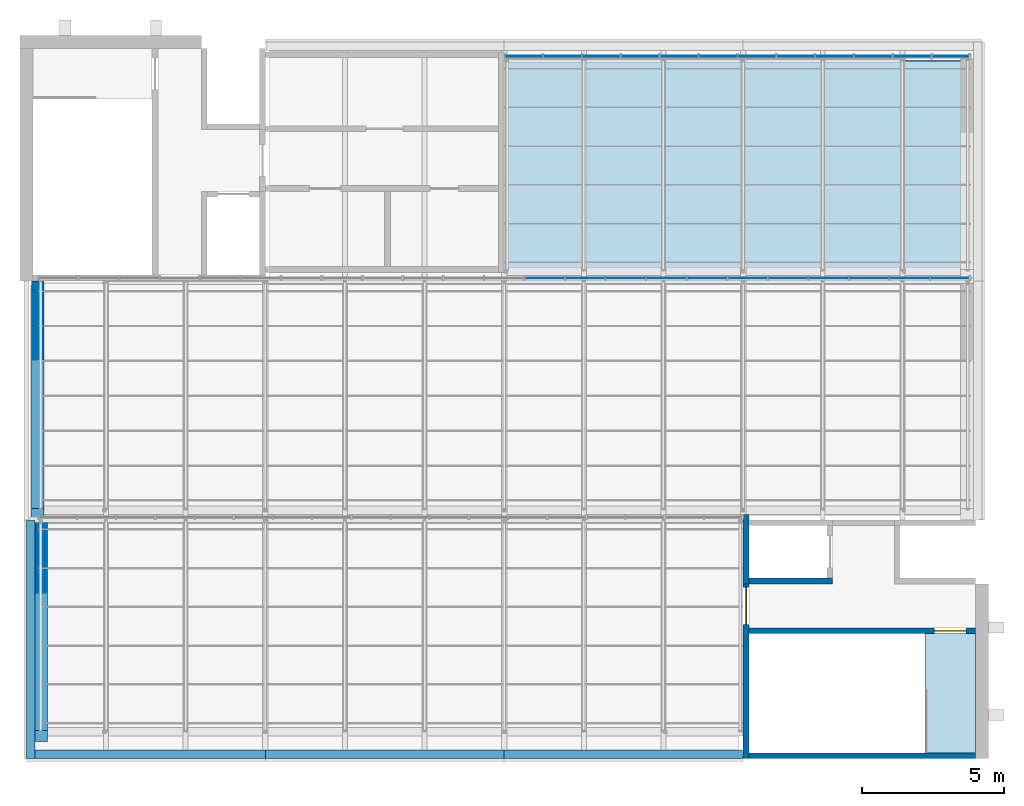
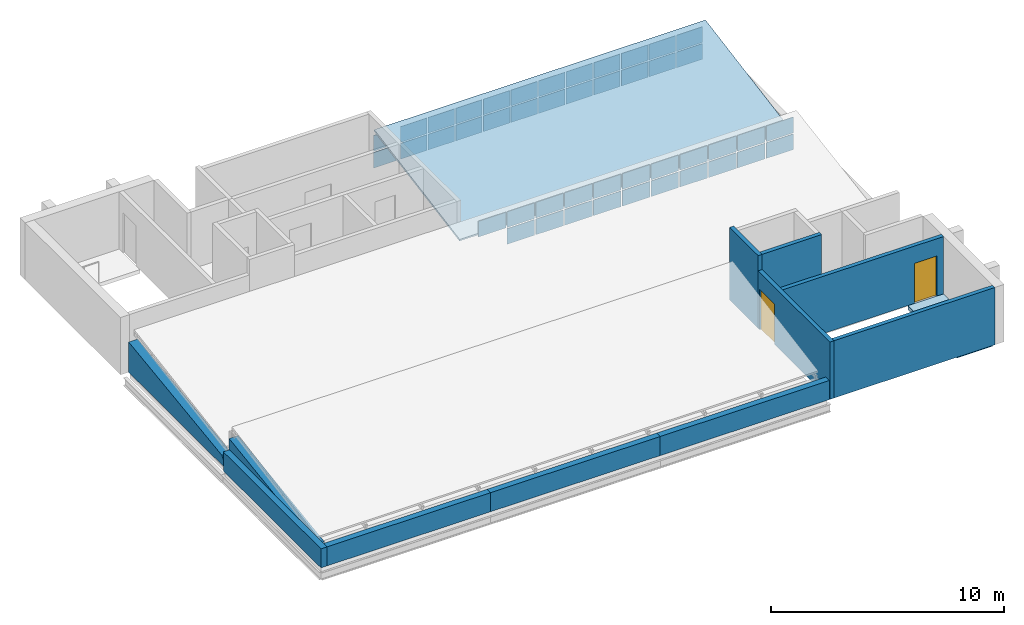
# One storey, part 22 of 33: 45 plates, 11 walls, 2 doors, 2 slabs, 2 openings, 2 elements without a shape of their own.
"""IFC4 building model written with IfcOpenShell, lengths in metres."""

from ifc_helpers import new_model, si_unit, direction, frame, frame_2d, origin, origin_2d, place, context, subcontext, project, spatial, polyline, rectangle, outline, extrude, material, layer, layer_set, type_object, element, fill, aggregate, save


model = new_model("IFC4")

# Units and contexts
model_context = context("Model", 3, precision=1e-05, world=origin(), true_north=direction((0.0, 1.0)))
body_context = subcontext(model_context, "Body", "Model", "MODEL_VIEW")
ifc_project = project(units=[si_unit("LENGTHUNIT", "METRE"), si_unit("AREAUNIT", "SQUARE_METRE"), si_unit("VOLUMEUNIT", "CUBIC_METRE"), si_unit("PLANEANGLEUNIT", "RADIAN"), si_unit("MASSUNIT", "GRAM", prefix="KILO")], contexts=[model_context])

# Site, building, storey
site_placement = place(None, origin())
site = spatial("IfcSite", under=ifc_project, at=site_placement, CompositionType="ELEMENT")
building_placement = place(site_placement, origin())
building = spatial("IfcBuilding", under=site, at=building_placement, Name="Ardhachandra Cancer Care Centre", CompositionType="ELEMENT")
storey_placement = place(building_placement, frame((0.0, 0.0, 27.0)))
storey = spatial("IfcBuildingStorey", under=building, at=storey_placement, Name="Roof", CompositionType="ELEMENT", Elevation=27.0)

# Slab
ifc_material_1 = material(Name="Concrete M40", Category="concrete")
ifc_layer_1 = layer(ifc_material_1, 0.199951171875)
ifc_layer_set_1 = layer_set([ifc_layer_1], Name="Concrete M40")
slab_type_1 = type_object("IfcSlabType", Name="Core head-house floor slab 200", PredefinedType="FLOOR", material=ifc_layer_set_1)
slab_1_placement = place(storey_placement, frame((0.0, 0.0, -0.199951171875)))
element("IfcSlab", 1, at=slab_1_placement, inside=storey, type_object=slab_type_1, Name="Stair head-house floor slab K13 1", PredefinedType="FLOOR", context=body_context, shape_type="SweptSolid", body=[
    extrude(outline(polyline([(144.97509765625, 84.199951171875), (143.199951171875, 84.199951171875), (143.199951171875, 80.0), (144.97509765625, 80.0), (144.97509765625, 84.199951171875)])), origin(), (0.0, 0.0, 1.0), 0.199951171875),
])

# Curtain wall, plates
ifc_material_2 = material(Name="Aluminium extrusion", Category="aluminium")
ifc_layer_2 = layer(ifc_material_2, 0.14990234375)
ifc_layer_set_2 = layer_set([ifc_layer_2], Name="Aluminium extrusion")
curtain_wall_type = type_object("IfcCurtainWallType", Name="Curtain wall run", PredefinedType="NOTDEFINED", material=ifc_layer_set_2)
curtain_wall_1_placement = place(storey_placement, origin())
curtain_wall_1 = element("IfcCurtainWall", 2, at=curtain_wall_1_placement, inside=storey, type_object=curtain_wall_type, Name="Curtain wall Roof n/0112000_0096700", PredefinedType="NOTDEFINED")
ifc_material_3 = material(Name="Low-iron double-glazed unit")
ifc_layer_3 = layer(ifc_material_3, 0.028076171875)
ifc_layer_set_3 = layer_set([ifc_layer_3], Name="Low-iron double-glazed unit")
plate_type_1 = type_object("IfcPlateType", Name="Curtain wall glazing 28", PredefinedType="CURTAIN_PANEL", material=ifc_layer_set_3)
plate_1_placement = place(storey_placement, frame((129.826171875, 96.699951171875, 0.93994140625), z_axis=(0.0, 0.0, 1.0), x_axis=(1.0, 0.0, 0.0)))
plate_1 = element("IfcPlate", 3, at=plate_1_placement, type_object=plate_type_1, Name="CW panel 13.2", PredefinedType="CURTAIN_PANEL", context=body_context, shape_type="SweptSolid", body=[
    extrude(rectangle(XDim=1.365966796875, YDim=0.028076171875, at=origin_2d()), origin(), (0.0, 0.0, 1.0), 0.820068359375),
])
plate_2_placement = place(storey_placement, frame((131.252197265625, 96.699951171875, 0.93994140625), z_axis=(0.0, 0.0, 1.0), x_axis=(1.0, 0.0, 0.0)))
plate_2 = element("IfcPlate", 4, at=plate_2_placement, type_object=plate_type_1, Name="CW panel 14.2", PredefinedType="CURTAIN_PANEL", context=body_context, shape_type="SweptSolid", body=[
    extrude(rectangle(XDim=1.365966796875, YDim=0.028076171875, at=origin_2d()), origin(), (0.0, 0.0, 1.0), 0.820068359375),
])
plate_3_placement = place(storey_placement, frame((132.67822265625, 96.699951171875, 0.93994140625), z_axis=(0.0, 0.0, 1.0), x_axis=(1.0, 0.0, 0.0)))
plate_3 = element("IfcPlate", 5, at=plate_3_placement, type_object=plate_type_1, Name="CW panel 15.2", PredefinedType="CURTAIN_PANEL", context=body_context, shape_type="SweptSolid", body=[
    extrude(rectangle(XDim=1.365966796875, YDim=0.028076171875, at=origin_2d()), origin(), (0.0, 0.0, 1.0), 0.820068359375),
])
plate_4_placement = place(storey_placement, frame((134.104248046875, 96.699951171875, 0.93994140625), z_axis=(0.0, 0.0, 1.0), x_axis=(1.0, 0.0, 0.0)))
plate_4 = element("IfcPlate", 6, at=plate_4_placement, type_object=plate_type_1, Name="CW panel 16.2", PredefinedType="CURTAIN_PANEL", context=body_context, shape_type="SweptSolid", body=[
    extrude(rectangle(XDim=1.365966796875, YDim=0.028076171875, at=origin_2d()), origin(), (0.0, 0.0, 1.0), 0.820068359375),
])
plate_5_placement = place(storey_placement, frame((135.530517578125, 96.699951171875, 0.93994140625), z_axis=(0.0, 0.0, 1.0), x_axis=(1.0, 0.0, 0.0)))
plate_5 = element("IfcPlate", 7, at=plate_5_placement, type_object=plate_type_1, Name="CW panel 17.2", PredefinedType="CURTAIN_PANEL", context=body_context, shape_type="SweptSolid", body=[
    extrude(rectangle(XDim=1.365966796875, YDim=0.028076171875, at=origin_2d()), origin(), (0.0, 0.0, 1.0), 0.820068359375),
])
plate_6_placement = place(storey_placement, frame((136.95654296875, 96.699951171875, 0.93994140625), z_axis=(0.0, 0.0, 1.0), x_axis=(1.0, 0.0, 0.0)))
plate_6 = element("IfcPlate", 8, at=plate_6_placement, type_object=plate_type_1, Name="CW panel 18.2", PredefinedType="CURTAIN_PANEL", context=body_context, shape_type="SweptSolid", body=[
    extrude(rectangle(XDim=1.365966796875, YDim=0.028076171875, at=origin_2d()), origin(), (0.0, 0.0, 1.0), 0.820068359375),
])
plate_7_placement = place(storey_placement, frame((138.382568359375, 96.699951171875, 0.93994140625), z_axis=(0.0, 0.0, 1.0), x_axis=(1.0, 0.0, 0.0)))
plate_7 = element("IfcPlate", 9, at=plate_7_placement, type_object=plate_type_1, Name="CW panel 19.2", PredefinedType="CURTAIN_PANEL", context=body_context, shape_type="SweptSolid", body=[
    extrude(rectangle(XDim=1.365966796875, YDim=0.028076171875, at=origin_2d()), origin(), (0.0, 0.0, 1.0), 0.820068359375),
])
plate_8_placement = place(storey_placement, frame((139.80859375, 96.699951171875, 0.93994140625), z_axis=(0.0, 0.0, 1.0), x_axis=(1.0, 0.0, 0.0)))
plate_8 = element("IfcPlate", 10, at=plate_8_placement, type_object=plate_type_1, Name="CW panel 20.2", PredefinedType="CURTAIN_PANEL", context=body_context, shape_type="SweptSolid", body=[
    extrude(rectangle(XDim=1.365966796875, YDim=0.028076171875, at=origin_2d()), origin(), (0.0, 0.0, 1.0), 0.820068359375),
])
plate_9_placement = place(storey_placement, frame((141.23486328125, 96.699951171875, 0.93994140625), z_axis=(0.0, 0.0, 1.0), x_axis=(1.0, 0.0, 0.0)))
plate_9 = element("IfcPlate", 11, at=plate_9_placement, type_object=plate_type_1, Name="CW panel 21.2", PredefinedType="CURTAIN_PANEL", context=body_context, shape_type="SweptSolid", body=[
    extrude(rectangle(XDim=1.365966796875, YDim=0.028076171875, at=origin_2d()), origin(), (0.0, 0.0, 1.0), 0.820068359375),
])
plate_10_placement = place(storey_placement, frame((142.660888671875, 96.699951171875, 0.93994140625), z_axis=(0.0, 0.0, 1.0), x_axis=(1.0, 0.0, 0.0)))
plate_10 = element("IfcPlate", 12, at=plate_10_placement, type_object=plate_type_1, Name="CW panel 22.2", PredefinedType="CURTAIN_PANEL", context=body_context, shape_type="SweptSolid", body=[
    extrude(rectangle(XDim=1.365966796875, YDim=0.028076171875, at=origin_2d()), origin(), (0.0, 0.0, 1.0), 0.820068359375),
])
plate_11_placement = place(storey_placement, frame((144.072021484375, 96.699951171875, 0.93994140625), z_axis=(0.0, 0.0, 1.0), x_axis=(1.0, 0.0, 0.0)))
plate_11 = element("IfcPlate", 13, at=plate_11_placement, type_object=plate_type_1, Name="CW panel 23.2", PredefinedType="CURTAIN_PANEL", context=body_context, shape_type="SweptSolid", body=[
    extrude(rectangle(XDim=1.336181640625, YDim=0.028076171875, at=origin_2d()), origin(), (0.0, 0.0, 1.0), 0.820068359375),
])

curtain_wall_2_placement = place(storey_placement, origin())
curtain_wall_2 = element("IfcCurtainWall", 14, at=curtain_wall_2_placement, inside=storey, type_object=curtain_wall_type, Name="Curtain wall Roof n/0128400_0104500", PredefinedType="NOTDEFINED")
plate_12_placement = place(storey_placement, frame((129.098388671875, 104.5, 0.93994140625), z_axis=(0.0, 0.0, 1.0), x_axis=(1.0, 0.0, 0.0)))
plate_12 = element("IfcPlate", 15, at=plate_12_placement, type_object=plate_type_1, Name="CW panel 1.2", PredefinedType="CURTAIN_PANEL", context=body_context, shape_type="SweptSolid", body=[
    extrude(rectangle(XDim=1.276611328125, YDim=0.028076171875, at=origin_2d()), origin(), (0.0, 0.0, 1.0), 0.820068359375),
])
plate_13_placement = place(storey_placement, frame((130.449951171875, 104.5, 0.93994140625), z_axis=(0.0, 0.0, 1.0), x_axis=(1.0, 0.0, 0.0)))
plate_13 = element("IfcPlate", 16, at=plate_13_placement, type_object=plate_type_1, Name="CW panel 2.2", PredefinedType="CURTAIN_PANEL", context=body_context, shape_type="SweptSolid", body=[
    extrude(rectangle(XDim=1.306640625, YDim=0.028076171875, at=origin_2d()), origin(), (0.0, 0.0, 1.0), 0.820068359375),
])
plate_14_placement = place(storey_placement, frame((131.816650390625, 104.5, 0.93994140625), z_axis=(0.0, 0.0, 1.0), x_axis=(1.0, 0.0, 0.0)))
plate_14 = element("IfcPlate", 17, at=plate_14_placement, type_object=plate_type_1, Name="CW panel 3.2", PredefinedType="CURTAIN_PANEL", context=body_context, shape_type="SweptSolid", body=[
    extrude(rectangle(XDim=1.306640625, YDim=0.028076171875, at=origin_2d()), origin(), (0.0, 0.0, 1.0), 0.820068359375),
])
plate_15_placement = place(storey_placement, frame((133.183349609375, 104.5, 0.93994140625), z_axis=(0.0, 0.0, 1.0), x_axis=(1.0, 0.0, 0.0)))
plate_15 = element("IfcPlate", 18, at=plate_15_placement, type_object=plate_type_1, Name="CW panel 4.2", PredefinedType="CURTAIN_PANEL", context=body_context, shape_type="SweptSolid", body=[
    extrude(rectangle(XDim=1.306640625, YDim=0.028076171875, at=origin_2d()), origin(), (0.0, 0.0, 1.0), 0.820068359375),
])
plate_16_placement = place(storey_placement, frame((134.550048828125, 104.5, 0.93994140625), z_axis=(0.0, 0.0, 1.0), x_axis=(1.0, 0.0, 0.0)))
plate_16 = element("IfcPlate", 19, at=plate_16_placement, type_object=plate_type_1, Name="CW panel 5.2", PredefinedType="CURTAIN_PANEL", context=body_context, shape_type="SweptSolid", body=[
    extrude(rectangle(XDim=1.306640625, YDim=0.028076171875, at=origin_2d()), origin(), (0.0, 0.0, 1.0), 0.820068359375),
])
plate_17_placement = place(storey_placement, frame((135.916748046875, 104.5, 0.93994140625), z_axis=(0.0, 0.0, 1.0), x_axis=(1.0, 0.0, 0.0)))
plate_17 = element("IfcPlate", 20, at=plate_17_placement, type_object=plate_type_1, Name="CW panel 6.2", PredefinedType="CURTAIN_PANEL", context=body_context, shape_type="SweptSolid", body=[
    extrude(rectangle(XDim=1.306640625, YDim=0.028076171875, at=origin_2d()), origin(), (0.0, 0.0, 1.0), 0.820068359375),
])
plate_18_placement = place(storey_placement, frame((137.283447265625, 104.5, 0.93994140625), z_axis=(0.0, 0.0, 1.0), x_axis=(1.0, 0.0, 0.0)))
plate_18 = element("IfcPlate", 21, at=plate_18_placement, type_object=plate_type_1, Name="CW panel 7.2", PredefinedType="CURTAIN_PANEL", context=body_context, shape_type="SweptSolid", body=[
    extrude(rectangle(XDim=1.306640625, YDim=0.028076171875, at=origin_2d()), origin(), (0.0, 0.0, 1.0), 0.820068359375),
])
plate_19_placement = place(storey_placement, frame((138.64990234375, 104.5, 0.93994140625), z_axis=(0.0, 0.0, 1.0), x_axis=(1.0, 0.0, 0.0)))
plate_19 = element("IfcPlate", 22, at=plate_19_placement, type_object=plate_type_1, Name="CW panel 8.2", PredefinedType="CURTAIN_PANEL", context=body_context, shape_type="SweptSolid", body=[
    extrude(rectangle(XDim=1.306640625, YDim=0.028076171875, at=origin_2d()), origin(), (0.0, 0.0, 1.0), 0.820068359375),
])
plate_20_placement = place(storey_placement, frame((140.0166015625, 104.5, 0.93994140625), z_axis=(0.0, 0.0, 1.0), x_axis=(1.0, 0.0, 0.0)))
plate_20 = element("IfcPlate", 23, at=plate_20_placement, type_object=plate_type_1, Name="CW panel 9.2", PredefinedType="CURTAIN_PANEL", context=body_context, shape_type="SweptSolid", body=[
    extrude(rectangle(XDim=1.306640625, YDim=0.028076171875, at=origin_2d()), origin(), (0.0, 0.0, 1.0), 0.820068359375),
])
plate_21_placement = place(storey_placement, frame((141.38330078125, 104.5, 0.93994140625), z_axis=(0.0, 0.0, 1.0), x_axis=(1.0, 0.0, 0.0)))
plate_21 = element("IfcPlate", 24, at=plate_21_placement, type_object=plate_type_1, Name="CW panel 10.2", PredefinedType="CURTAIN_PANEL", context=body_context, shape_type="SweptSolid", body=[
    extrude(rectangle(XDim=1.306640625, YDim=0.028076171875, at=origin_2d()), origin(), (0.0, 0.0, 1.0), 0.820068359375),
])
plate_22_placement = place(storey_placement, frame((142.75, 104.5, 0.93994140625), z_axis=(0.0, 0.0, 1.0), x_axis=(1.0, 0.0, 0.0)))
plate_22 = element("IfcPlate", 25, at=plate_22_placement, type_object=plate_type_1, Name="CW panel 11.2", PredefinedType="CURTAIN_PANEL", context=body_context, shape_type="SweptSolid", body=[
    extrude(rectangle(XDim=1.306640625, YDim=0.028076171875, at=origin_2d()), origin(), (0.0, 0.0, 1.0), 0.820068359375),
])
plate_23_placement = place(storey_placement, frame((144.1015625, 104.5, 0.93994140625), z_axis=(0.0, 0.0, 1.0), x_axis=(1.0, 0.0, 0.0)))
plate_23 = element("IfcPlate", 26, at=plate_23_placement, type_object=plate_type_1, Name="CW panel 12.2", PredefinedType="CURTAIN_PANEL", context=body_context, shape_type="SweptSolid", body=[
    extrude(rectangle(XDim=1.276611328125, YDim=0.028076171875, at=origin_2d()), origin(), (0.0, 0.0, 1.0), 0.820068359375),
])

# Plate
ifc_material_4 = material(Name="Aluminium composite spandrel panel", Category="aluminium")
ifc_layer_4 = layer(ifc_material_4, 0.028076171875)
ifc_layer_set_4 = layer_set([ifc_layer_4], Name="Aluminium composite spandrel panel")
plate_type_2 = type_object("IfcPlateType", Name="Curtain wall spandrel panel 28", PredefinedType="CURTAIN_PANEL", material=ifc_layer_set_4)
plate_24_placement = place(storey_placement, frame((131.252197265625, 96.699951171875, 0.06005859375), z_axis=(0.0, 0.0, 1.0), x_axis=(1.0, 0.0, 0.0)))
plate_24 = element("IfcPlate", 27, at=plate_24_placement, type_object=plate_type_2, Name="CW panel 14.1", PredefinedType="CURTAIN_PANEL", context=body_context, shape_type="SweptSolid", body=[
    extrude(rectangle(XDim=1.365966796875, YDim=0.028076171875, at=origin_2d()), origin(), (0.0, 0.0, 1.0), 0.820068359375),
])

plate_25_placement = place(storey_placement, frame((132.67822265625, 96.699951171875, 0.06005859375), z_axis=(0.0, 0.0, 1.0), x_axis=(1.0, 0.0, 0.0)))
plate_25 = element("IfcPlate", 28, at=plate_25_placement, type_object=plate_type_2, Name="CW panel 15.1", PredefinedType="CURTAIN_PANEL", context=body_context, shape_type="SweptSolid", body=[
    extrude(rectangle(XDim=1.365966796875, YDim=0.028076171875, at=origin_2d()), origin(), (0.0, 0.0, 1.0), 0.820068359375),
])

plate_26_placement = place(storey_placement, frame((134.104248046875, 96.699951171875, 0.06005859375), z_axis=(0.0, 0.0, 1.0), x_axis=(1.0, 0.0, 0.0)))
plate_26 = element("IfcPlate", 29, at=plate_26_placement, type_object=plate_type_2, Name="CW panel 16.1", PredefinedType="CURTAIN_PANEL", context=body_context, shape_type="SweptSolid", body=[
    extrude(rectangle(XDim=1.365966796875, YDim=0.028076171875, at=origin_2d()), origin(), (0.0, 0.0, 1.0), 0.820068359375),
])

plate_27_placement = place(storey_placement, frame((135.530517578125, 96.699951171875, 0.06005859375), z_axis=(0.0, 0.0, 1.0), x_axis=(1.0, 0.0, 0.0)))
plate_27 = element("IfcPlate", 30, at=plate_27_placement, type_object=plate_type_2, Name="CW panel 17.1", PredefinedType="CURTAIN_PANEL", context=body_context, shape_type="SweptSolid", body=[
    extrude(rectangle(XDim=1.365966796875, YDim=0.028076171875, at=origin_2d()), origin(), (0.0, 0.0, 1.0), 0.820068359375),
])

plate_28_placement = place(storey_placement, frame((136.95654296875, 96.699951171875, 0.06005859375), z_axis=(0.0, 0.0, 1.0), x_axis=(1.0, 0.0, 0.0)))
plate_28 = element("IfcPlate", 31, at=plate_28_placement, type_object=plate_type_2, Name="CW panel 18.1", PredefinedType="CURTAIN_PANEL", context=body_context, shape_type="SweptSolid", body=[
    extrude(rectangle(XDim=1.365966796875, YDim=0.028076171875, at=origin_2d()), origin(), (0.0, 0.0, 1.0), 0.820068359375),
])

plate_29_placement = place(storey_placement, frame((138.382568359375, 96.699951171875, 0.06005859375), z_axis=(0.0, 0.0, 1.0), x_axis=(1.0, 0.0, 0.0)))
plate_29 = element("IfcPlate", 32, at=plate_29_placement, type_object=plate_type_2, Name="CW panel 19.1", PredefinedType="CURTAIN_PANEL", context=body_context, shape_type="SweptSolid", body=[
    extrude(rectangle(XDim=1.365966796875, YDim=0.028076171875, at=origin_2d()), origin(), (0.0, 0.0, 1.0), 0.820068359375),
])

plate_30_placement = place(storey_placement, frame((139.80859375, 96.699951171875, 0.06005859375), z_axis=(0.0, 0.0, 1.0), x_axis=(1.0, 0.0, 0.0)))
plate_30 = element("IfcPlate", 33, at=plate_30_placement, type_object=plate_type_2, Name="CW panel 20.1", PredefinedType="CURTAIN_PANEL", context=body_context, shape_type="SweptSolid", body=[
    extrude(rectangle(XDim=1.365966796875, YDim=0.028076171875, at=origin_2d()), origin(), (0.0, 0.0, 1.0), 0.820068359375),
])

plate_31_placement = place(storey_placement, frame((141.23486328125, 96.699951171875, 0.06005859375), z_axis=(0.0, 0.0, 1.0), x_axis=(1.0, 0.0, 0.0)))
plate_31 = element("IfcPlate", 34, at=plate_31_placement, type_object=plate_type_2, Name="CW panel 21.1", PredefinedType="CURTAIN_PANEL", context=body_context, shape_type="SweptSolid", body=[
    extrude(rectangle(XDim=1.365966796875, YDim=0.028076171875, at=origin_2d()), origin(), (0.0, 0.0, 1.0), 0.820068359375),
])

plate_32_placement = place(storey_placement, frame((142.660888671875, 96.699951171875, 0.06005859375), z_axis=(0.0, 0.0, 1.0), x_axis=(1.0, 0.0, 0.0)))
plate_32 = element("IfcPlate", 35, at=plate_32_placement, type_object=plate_type_2, Name="CW panel 22.1", PredefinedType="CURTAIN_PANEL", context=body_context, shape_type="SweptSolid", body=[
    extrude(rectangle(XDim=1.365966796875, YDim=0.028076171875, at=origin_2d()), origin(), (0.0, 0.0, 1.0), 0.820068359375),
])

plate_33_placement = place(storey_placement, frame((144.072021484375, 96.699951171875, 0.06005859375), z_axis=(0.0, 0.0, 1.0), x_axis=(1.0, 0.0, 0.0)))
plate_33 = element("IfcPlate", 36, at=plate_33_placement, type_object=plate_type_2, Name="CW panel 23.1", PredefinedType="CURTAIN_PANEL", context=body_context, shape_type="SweptSolid", body=[
    extrude(rectangle(XDim=1.336181640625, YDim=0.028076171875, at=origin_2d()), origin(), (0.0, 0.0, 1.0), 0.820068359375),
])

aggregate(curtain_wall_1, [plate_1, plate_24, plate_2, plate_25, plate_3, plate_26, plate_4, plate_27, plate_5, plate_28, plate_6, plate_29, plate_7, plate_30, plate_8, plate_31, plate_9, plate_32, plate_10, plate_33, plate_11])

plate_34_placement = place(storey_placement, frame((129.098388671875, 104.5, 0.06005859375), z_axis=(0.0, 0.0, 1.0), x_axis=(1.0, 0.0, 0.0)))
plate_34 = element("IfcPlate", 37, at=plate_34_placement, type_object=plate_type_2, Name="CW panel 1.1", PredefinedType="CURTAIN_PANEL", context=body_context, shape_type="SweptSolid", body=[
    extrude(rectangle(XDim=1.276611328125, YDim=0.028076171875, at=origin_2d()), origin(), (0.0, 0.0, 1.0), 0.820068359375),
])

plate_35_placement = place(storey_placement, frame((130.449951171875, 104.5, 0.06005859375), z_axis=(0.0, 0.0, 1.0), x_axis=(1.0, 0.0, 0.0)))
plate_35 = element("IfcPlate", 38, at=plate_35_placement, type_object=plate_type_2, Name="CW panel 2.1", PredefinedType="CURTAIN_PANEL", context=body_context, shape_type="SweptSolid", body=[
    extrude(rectangle(XDim=1.306640625, YDim=0.028076171875, at=origin_2d()), origin(), (0.0, 0.0, 1.0), 0.820068359375),
])

plate_36_placement = place(storey_placement, frame((131.816650390625, 104.5, 0.06005859375), z_axis=(0.0, 0.0, 1.0), x_axis=(1.0, 0.0, 0.0)))
plate_36 = element("IfcPlate", 39, at=plate_36_placement, type_object=plate_type_2, Name="CW panel 3.1", PredefinedType="CURTAIN_PANEL", context=body_context, shape_type="SweptSolid", body=[
    extrude(rectangle(XDim=1.306640625, YDim=0.028076171875, at=origin_2d()), origin(), (0.0, 0.0, 1.0), 0.820068359375),
])

plate_37_placement = place(storey_placement, frame((133.183349609375, 104.5, 0.06005859375), z_axis=(0.0, 0.0, 1.0), x_axis=(1.0, 0.0, 0.0)))
plate_37 = element("IfcPlate", 40, at=plate_37_placement, type_object=plate_type_2, Name="CW panel 4.1", PredefinedType="CURTAIN_PANEL", context=body_context, shape_type="SweptSolid", body=[
    extrude(rectangle(XDim=1.306640625, YDim=0.028076171875, at=origin_2d()), origin(), (0.0, 0.0, 1.0), 0.820068359375),
])

plate_38_placement = place(storey_placement, frame((134.550048828125, 104.5, 0.06005859375), z_axis=(0.0, 0.0, 1.0), x_axis=(1.0, 0.0, 0.0)))
plate_38 = element("IfcPlate", 41, at=plate_38_placement, type_object=plate_type_2, Name="CW panel 5.1", PredefinedType="CURTAIN_PANEL", context=body_context, shape_type="SweptSolid", body=[
    extrude(rectangle(XDim=1.306640625, YDim=0.028076171875, at=origin_2d()), origin(), (0.0, 0.0, 1.0), 0.820068359375),
])

plate_39_placement = place(storey_placement, frame((135.916748046875, 104.5, 0.06005859375), z_axis=(0.0, 0.0, 1.0), x_axis=(1.0, 0.0, 0.0)))
plate_39 = element("IfcPlate", 42, at=plate_39_placement, type_object=plate_type_2, Name="CW panel 6.1", PredefinedType="CURTAIN_PANEL", context=body_context, shape_type="SweptSolid", body=[
    extrude(rectangle(XDim=1.306640625, YDim=0.028076171875, at=origin_2d()), origin(), (0.0, 0.0, 1.0), 0.820068359375),
])

plate_40_placement = place(storey_placement, frame((137.283447265625, 104.5, 0.06005859375), z_axis=(0.0, 0.0, 1.0), x_axis=(1.0, 0.0, 0.0)))
plate_40 = element("IfcPlate", 43, at=plate_40_placement, type_object=plate_type_2, Name="CW panel 7.1", PredefinedType="CURTAIN_PANEL", context=body_context, shape_type="SweptSolid", body=[
    extrude(rectangle(XDim=1.306640625, YDim=0.028076171875, at=origin_2d()), origin(), (0.0, 0.0, 1.0), 0.820068359375),
])

plate_41_placement = place(storey_placement, frame((138.64990234375, 104.5, 0.06005859375), z_axis=(0.0, 0.0, 1.0), x_axis=(1.0, 0.0, 0.0)))
plate_41 = element("IfcPlate", 44, at=plate_41_placement, type_object=plate_type_2, Name="CW panel 8.1", PredefinedType="CURTAIN_PANEL", context=body_context, shape_type="SweptSolid", body=[
    extrude(rectangle(XDim=1.306640625, YDim=0.028076171875, at=origin_2d()), origin(), (0.0, 0.0, 1.0), 0.820068359375),
])

plate_42_placement = place(storey_placement, frame((140.0166015625, 104.5, 0.06005859375), z_axis=(0.0, 0.0, 1.0), x_axis=(1.0, 0.0, 0.0)))
plate_42 = element("IfcPlate", 45, at=plate_42_placement, type_object=plate_type_2, Name="CW panel 9.1", PredefinedType="CURTAIN_PANEL", context=body_context, shape_type="SweptSolid", body=[
    extrude(rectangle(XDim=1.306640625, YDim=0.028076171875, at=origin_2d()), origin(), (0.0, 0.0, 1.0), 0.820068359375),
])

plate_43_placement = place(storey_placement, frame((141.38330078125, 104.5, 0.06005859375), z_axis=(0.0, 0.0, 1.0), x_axis=(1.0, 0.0, 0.0)))
plate_43 = element("IfcPlate", 46, at=plate_43_placement, type_object=plate_type_2, Name="CW panel 10.1", PredefinedType="CURTAIN_PANEL", context=body_context, shape_type="SweptSolid", body=[
    extrude(rectangle(XDim=1.306640625, YDim=0.028076171875, at=origin_2d()), origin(), (0.0, 0.0, 1.0), 0.820068359375),
])

plate_44_placement = place(storey_placement, frame((142.75, 104.5, 0.06005859375), z_axis=(0.0, 0.0, 1.0), x_axis=(1.0, 0.0, 0.0)))
plate_44 = element("IfcPlate", 47, at=plate_44_placement, type_object=plate_type_2, Name="CW panel 11.1", PredefinedType="CURTAIN_PANEL", context=body_context, shape_type="SweptSolid", body=[
    extrude(rectangle(XDim=1.306640625, YDim=0.028076171875, at=origin_2d()), origin(), (0.0, 0.0, 1.0), 0.820068359375),
])

plate_45_placement = place(storey_placement, frame((144.1015625, 104.5, 0.06005859375), z_axis=(0.0, 0.0, 1.0), x_axis=(1.0, 0.0, 0.0)))
plate_45 = element("IfcPlate", 48, at=plate_45_placement, type_object=plate_type_2, Name="CW panel 12.1", PredefinedType="CURTAIN_PANEL", context=body_context, shape_type="SweptSolid", body=[
    extrude(rectangle(XDim=1.276611328125, YDim=0.028076171875, at=origin_2d()), origin(), (0.0, 0.0, 1.0), 0.820068359375),
])

aggregate(curtain_wall_2, [plate_34, plate_12, plate_35, plate_13, plate_36, plate_14, plate_37, plate_15, plate_38, plate_16, plate_39, plate_17, plate_40, plate_18, plate_41, plate_19, plate_42, plate_20, plate_43, plate_21, plate_44, plate_22, plate_45, plate_23])

# Slab
ifc_material_5 = material(Name="Insulated metal roof sheet (galvalume skins, PIR core)")
ifc_layer_5 = layer(ifc_material_5, 0.10009765625)
ifc_layer_set_5 = layer_set([ifc_layer_5], Name="Insulated metal roof sheet (galvalume skins, PIR core)")
slab_type_2 = type_object("IfcSlabType", Name="Insulated roof sheet 100", PredefinedType="ROOF", material=ifc_layer_set_5)
slab_2_placement = place(storey_placement, frame((128.39990234375, 97.0, 0.885986328125), z_axis=(0.0, -0.175610067879, 0.984459803171), x_axis=(1.0, 0.0, 0.0)))
element("IfcSlab", 49, at=slab_2_placement, inside=storey, type_object=slab_type_2, Name="Roof sheet ST3a", PredefinedType="ROOF", context=body_context, shape_type="SweptSolid", body=[
    extrude(outline(polyline([(0.0, 0.0), (16.400146484375, 0.0), (16.400146484375, 7.440579237751139), (0.0, 7.440579237751139), (0.0, 0.0)])), origin(), (0.0, 0.0, -1.0), 0.10009765625),
])

# Walls
ifc_material_6 = material(Name="Brick masonry (clay brick, cement mortar) with Precast Concrete M25 coping", Category="masonry")
ifc_layer_6 = layer(ifc_material_6, 0.300048828125)
ifc_layer_set_6 = layer_set([ifc_layer_6], Name="Brick masonry (clay brick, cement mortar) with Precast Concrete M25 coping")
wall_type_1 = type_object("IfcWallType", Name="Brick parapet 300", PredefinedType="PARAPET", material=ifc_layer_set_6)
wall_1_placement = place(storey_placement, frame((111.75, 79.800048828125, 0.0), z_axis=(0.0, 0.0, 1.0), x_axis=(0.0, 1.0, 0.0)))
element("IfcWall", 50, at=wall_1_placement, inside=storey, type_object=wall_type_1, Name="Parapet V5 Roof 6", PredefinedType="PARAPET", context=body_context, shape_type="SweptSolid", body=[
    extrude(rectangle(XDim=8.3798828125, YDim=0.300048828125, at=frame_2d((4.18994140625, 0.0))), origin(), (0.0, 0.0, 1.0), 1.0),
])
wall_2_placement = place(storey_placement, frame((111.89990234375, 79.949951171875, 0.0), z_axis=(0.0, 0.0, 1.0), x_axis=(1.0, 0.0, 0.0)))
element("IfcWall", 51, at=wall_2_placement, inside=storey, type_object=wall_type_1, Name="Parapet V5 Roof 7", PredefinedType="PARAPET", context=body_context, shape_type="SweptSolid", body=[
    extrude(rectangle(XDim=8.10009765625, YDim=0.300048828125, at=frame_2d((4.050048828125, 0.0))), origin(), (0.0, 0.0, 1.0), 1.0),
])
wall_3_placement = place(storey_placement, frame((120.0, 79.949951171875, 0.0), z_axis=(0.0, 0.0, 1.0), x_axis=(1.0, 0.0, 0.0)))
element("IfcWall", 52, at=wall_3_placement, inside=storey, type_object=wall_type_1, Name="Parapet V5 Roof 8", PredefinedType="PARAPET", context=body_context, shape_type="SweptSolid", body=[
    extrude(rectangle(XDim=8.39990234375, YDim=0.300048828125, at=frame_2d((4.199951171875, 0.0))), origin(), (0.0, 0.0, 1.0), 1.0),
])
wall_4_placement = place(storey_placement, frame((128.39990234375, 79.949951171875, 0.0), z_axis=(0.0, 0.0, 1.0), x_axis=(1.0, 0.0, 0.0)))
element("IfcWall", 53, at=wall_4_placement, inside=storey, type_object=wall_type_1, Name="Parapet V5 Roof 9", PredefinedType="PARAPET", context=body_context, shape_type="SweptSolid", body=[
    extrude(rectangle(XDim=8.380126953125, YDim=0.300048828125, at=frame_2d((4.18994140625, 0.0))), origin(), (0.0, 0.0, 1.0), 1.0),
])

# Wall, opening, door
ifc_material_7 = material(Name="Concrete M40", Category="concrete")
ifc_layer_7 = layer(ifc_material_7, 0.199951171875)
ifc_layer_set_7 = layer_set([ifc_layer_7], Name="Concrete M40")
wall_type_2 = type_object("IfcWallType", Name="Core wall RC 200", PredefinedType="SOLIDWALL", material=ifc_layer_set_7)
wall_5_placement = place(storey_placement, frame((136.89990234375, 79.800048828125, 0.0), z_axis=(0.0, 0.0, 1.0), x_axis=(0.0, 1.0, 0.0)))
wall_5 = element("IfcWall", 54, at=wall_5_placement, inside=storey, type_object=wall_type_2, Name="Stair head-house wall K13 ENT", PredefinedType="SOLIDWALL", context=body_context, shape_type="SweptSolid", body=[
    extrude(rectangle(XDim=6.14990234375, YDim=0.199951171875, at=frame_2d((3.074951171875, 0.0))), origin(), (0.0, 0.0, 1.0), 3.0),
])
opening_1_placement = place(wall_5_placement, frame((4.72509765625, 0.0, 0.0)))
opening_1 = element("IfcOpeningElement", 55, at=opening_1_placement, cuts=wall_5, Name="Opening Roof-K13-3", PredefinedType="OPENING", context=body_context, shape_type="SweptSolid", body=[
    extrude(rectangle(XDim=1.300048828125, YDim=2.10009765625, at=frame_2d((0.64990234375, 1.050048828125))), frame((0.0, 0.10986328125, 0.0), z_axis=(0.0, -1.0, 0.0), x_axis=(1.0, 0.0, 0.0)), (0.0, 0.0, 1.0), 0.219970703125),
])
ifc_material_8 = material(Name="Steel door set", Category="steel")
door_type_1 = type_object("IfcDoorType", Name="Core entry double door 1300x2100 FD60", OperationType="DOUBLE_DOOR_DOUBLE_SWING", PredefinedType="DOOR", material=ifc_material_8)
door_1_placement = place(opening_1_placement, origin())
door_1 = element("IfcDoor", 56, at=door_1_placement, inside=storey, type_object=door_type_1, Name="Roof access door", OperationType="DOUBLE_DOOR_DOUBLE_SWING", OverallHeight=2.10009765625, OverallWidth=1.300048828125, PredefinedType="DOOR", context=body_context, shape_type="SweptSolid", body=[
    extrude(rectangle(XDim=1.300048828125, YDim=2.10009765625, at=frame_2d((0.64990234375, 1.050048828125))), frame((0.0, 0.02490234375, 0.0), z_axis=(0.0, -1.0, 0.0), x_axis=(1.0, 0.0, 0.0)), (0.0, 0.0, 1.0), 0.050048828125),
])
fill(opening_1, door_1)

# Wall
wall_6_placement = place(storey_placement, frame((137.0, 79.89990234375, 0.0), z_axis=(0.0, 0.0, 1.0), x_axis=(1.0, 0.0, 0.0)))
element("IfcWall", 57, at=wall_6_placement, inside=storey, type_object=wall_type_2, Name="Stair head-house wall K13 UW", PredefinedType="SOLIDWALL", context=body_context, shape_type="SweptSolid", body=[
    extrude(rectangle(XDim=7.97509765625, YDim=0.199951171875, at=frame_2d((3.987548828125, 0.0))), origin(), (0.0, 0.0, 1.0), 3.0),
])

# Wall, opening, door
wall_7_placement = place(storey_placement, frame((137.0, 84.300048828125, 0.0), z_axis=(0.0, 0.0, 1.0), x_axis=(1.0, 0.0, 0.0)))
wall_7 = element("IfcWall", 58, at=wall_7_placement, inside=storey, type_object=wall_type_2, Name="Stair head-house wall K13 P1", PredefinedType="SOLIDWALL", context=body_context, shape_type="SweptSolid", body=[
    extrude(rectangle(XDim=7.97509765625, YDim=0.199951171875, at=frame_2d((3.987548828125, 0.0))), origin(), (0.0, 0.0, 1.0), 3.0),
])
opening_2_placement = place(wall_7_placement, frame((6.53759765625, 0.0, 0.0)))
opening_2 = element("IfcOpeningElement", 59, at=opening_2_placement, cuts=wall_7, Name="Opening Roof-K13-1", PredefinedType="OPENING", context=body_context, shape_type="SweptSolid", body=[
    extrude(rectangle(XDim=1.10009765625, YDim=2.10009765625, at=frame_2d((0.550048828125, 1.050048828125))), frame((0.0, 0.10986328125, 0.0), z_axis=(0.0, -1.0, 0.0), x_axis=(1.0, 0.0, 0.0)), (0.0, 0.0, 1.0), 0.219970703125),
])
ifc_material_9 = material(Name="Steel door set", Category="steel")
door_type_2 = type_object("IfcDoorType", Name="Stair door 1100x2100 FD60S", OperationType="NOTDEFINED", PredefinedType="DOOR", material=ifc_material_9)
door_2_placement = place(opening_2_placement, origin())
door_2 = element("IfcDoor", 60, at=door_2_placement, inside=storey, type_object=door_type_2, Name="Head-house door", OperationType="SINGLE_SWING_RIGHT", OverallHeight=2.10009765625, OverallWidth=1.10009765625, PredefinedType="DOOR", context=body_context, shape_type="SweptSolid", body=[
    extrude(rectangle(XDim=1.10009765625, YDim=2.10009765625, at=frame_2d((0.550048828125, 1.050048828125))), frame((0.0, 0.02490234375, 0.0), z_axis=(0.0, -1.0, 0.0), x_axis=(1.0, 0.0, 0.0)), (0.0, 0.0, 1.0), 0.050048828125),
])
fill(opening_2, door_2)

# Walls
wall_8_placement = place(storey_placement, frame((137.0, 86.050048828125, 0.0), z_axis=(0.0, 0.0, 1.0), x_axis=(1.0, 0.0, 0.0)))
element("IfcWall", 61, at=wall_8_placement, inside=storey, type_object=wall_type_2, Name="Lift overrun wall K13A P2A", PredefinedType="SOLIDWALL", context=body_context, shape_type="SweptSolid", body=[
    extrude(rectangle(XDim=2.949951171875, YDim=0.199951171875, at=frame_2d((1.47509765625, 0.0))), origin(), (0.0, 0.0, 1.0), 3.800048828125),
])
wall_9_placement = place(storey_placement, frame((136.89990234375, 85.949951171875, 0.0), z_axis=(0.0, 0.0, 1.0), x_axis=(0.0, 1.0, 0.0)))
element("IfcWall", 62, at=wall_9_placement, inside=storey, type_object=wall_type_2, Name="Lift overrun wall K13A ENT", PredefinedType="SOLIDWALL", context=body_context, shape_type="SweptSolid", body=[
    extrude(rectangle(XDim=2.43994140625, YDim=0.199951171875, at=frame_2d((1.219970703125, 0.0))), origin(), (0.0, 0.0, 1.0), 3.800048828125),
])
ifc_material_10 = material(Name="Brick masonry (clay brick, cement mortar) with mineral wool cavity insulation", Category="masonry")
ifc_layer_8 = layer(ifc_material_10, 0.449951171875)
ifc_layer_set_8 = layer_set([ifc_layer_8], Name="Brick masonry (clay brick, cement mortar) with mineral wool cavity insulation")
wall_type_3 = type_object("IfcWallType", Name="Gable infill wall 450", PredefinedType="SOLIDWALL", material=ifc_layer_set_8)
wall_10_placement = place(storey_placement, frame((112.125, 80.39990234375, 0.0), z_axis=(0.0, 0.0, 1.0), x_axis=(0.0, 1.0, 0.0)))
element("IfcWall", 63, at=wall_10_placement, inside=storey, type_object=wall_type_3, Name="Tooth end wall ST1a w", PredefinedType="SOLIDWALL", context=body_context, shape_type="SweptSolid", body=[
    extrude(outline(polyline([(0.0, 0.0), (7.800048828125, 0.0), (7.800048828125, 1.580078125), (0.39990234375, 0.5), (0.0, 0.0)])), frame((0.0, 0.22509765625, 0.0), z_axis=(0.0, -1.0, 0.0), x_axis=(1.0, 0.0, 0.0)), (0.0, 0.0, 1.0), 0.449951171875),
])
wall_11_placement = place(storey_placement, frame((112.0, 88.199951171875, 0.0), z_axis=(0.0, 0.0, 1.0), x_axis=(0.0, 1.0, 0.0)))
element("IfcWall", 64, at=wall_11_placement, inside=storey, type_object=wall_type_3, Name="Tooth end wall ST2a w", PredefinedType="SOLIDWALL", context=body_context, shape_type="SweptSolid", body=[
    extrude(outline(polyline([(0.0, 0.0), (8.39990234375, 0.0), (8.39990234375, 1.580078125), (0.39990234375, 0.5), (0.0, 0.0)])), frame((0.0, 0.22509765625, 0.0), z_axis=(0.0, -1.0, 0.0), x_axis=(1.0, 0.0, 0.0)), (0.0, 0.0, 1.0), 0.449951171875),
])

save(model, "model.ifc")
